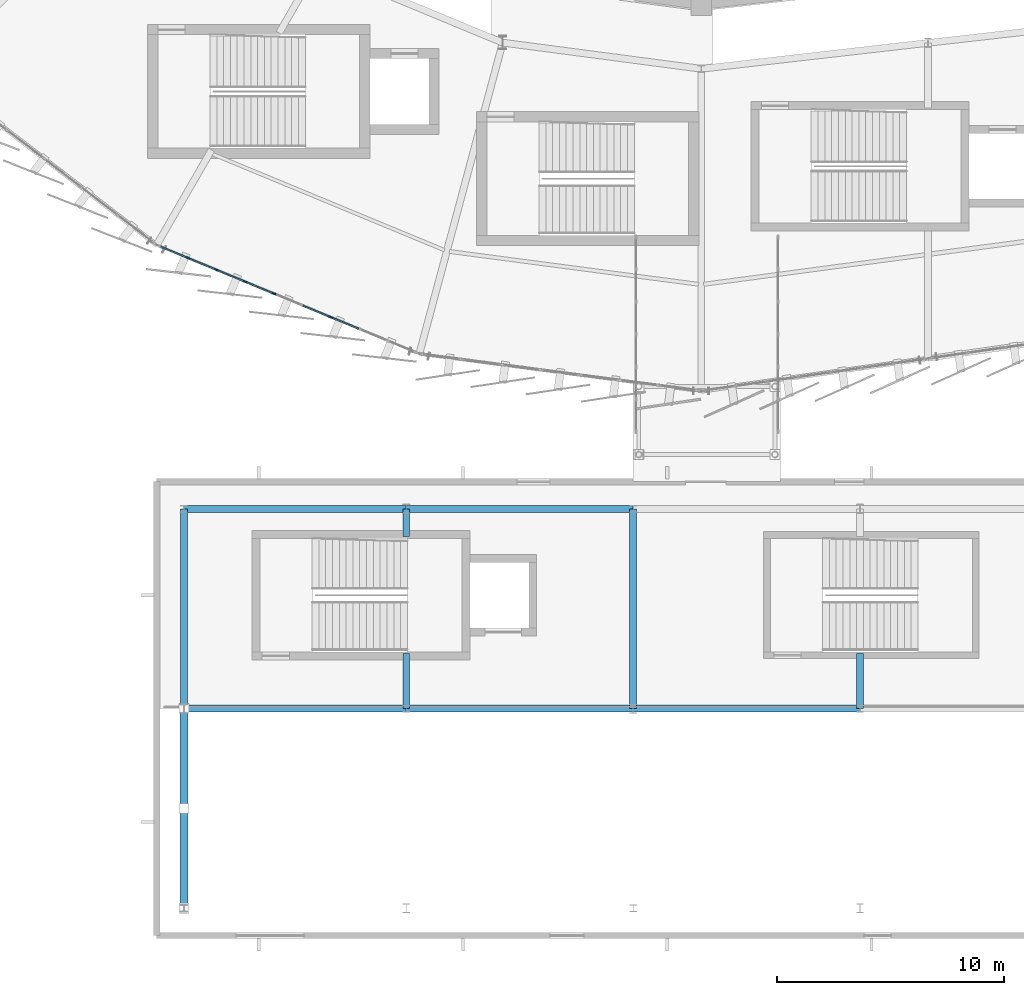
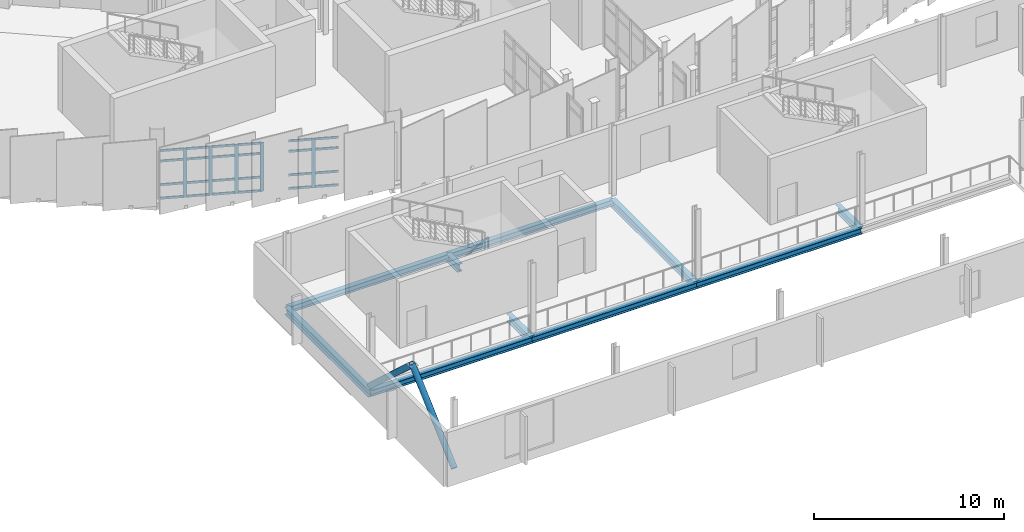
# One storey, part 32 of 134: 31 members, 10 beams, 1 element without a shape of its own.
"""IFC4 building model written with IfcOpenShell, lengths in metres."""

from ifc_helpers import new_model, si_unit, direction, frame, origin, origin_2d, place, context, subcontext, project, spatial, rectangle, hollow_circle, i_section, extrude, material, layer, layer_set, material_profile, profile_set, type_object, element, aggregate, save


model = new_model("IFC4")

# Units and contexts
model_context = context("Model", 3, precision=1e-05, world=origin(), true_north=direction((0.0, 1.0)))
body_context = subcontext(model_context, "Body", "Model", "MODEL_VIEW")
ifc_project = project(units=[si_unit("LENGTHUNIT", "METRE"), si_unit("AREAUNIT", "SQUARE_METRE"), si_unit("VOLUMEUNIT", "CUBIC_METRE"), si_unit("PLANEANGLEUNIT", "RADIAN"), si_unit("MASSUNIT", "GRAM", prefix="KILO")], contexts=[model_context])

# Site, building, storey
site_placement = place(None, origin())
site = spatial("IfcSite", under=ifc_project, at=site_placement, CompositionType="ELEMENT")
building_placement = place(site_placement, origin())
building = spatial("IfcBuilding", under=site, at=building_placement, Name="Sohan Crest Arena", CompositionType="ELEMENT")
storey_placement = place(building_placement, frame((0.0, 0.0, 4.5)))
storey = spatial("IfcBuildingStorey", under=building, at=storey_placement, Name="L01", CompositionType="ELEMENT", Elevation=4.5)

# Curtain wall, members
ifc_material_1 = material(Name="Thermally broken anodised aluminium", Category="aluminium")
ifc_layer = layer(ifc_material_1, 0.18994140625, Name="Thermally broken anodised aluminium")
ifc_layer_set = layer_set([ifc_layer], Name="Thermally broken anodised aluminium")
curtain_wall_type = type_object("IfcCurtainWallType", Name="ARC-CW05", PredefinedType="NOTDEFINED", material=ifc_layer_set)
curtain_wall_placement = place(storey_placement, origin())
curtain_wall = element("IfcCurtainWall", 1, at=curtain_wall_placement, inside=storey, type_object=curtain_wall_type, Name="Unitised curtain wall CW-028", PredefinedType="NOTDEFINED")
ifc_material_profile_1 = material_profile(ifc_material_1, rectangle(XDim=0.070068359375, YDim=0.199951171875, at=origin_2d()), Name="ALU-MULL 70x200")
ifc_profile_set_1 = profile_set([ifc_material_profile_1], Name="Thermally broken anodised aluminium")
member_type_1 = type_object("IfcMemberType", Name="ARC-CW-ML03", PredefinedType="MULLION", material=ifc_profile_set_1)
member_1_placement = place(storey_placement, frame((75.379638671875, 35.859375, 0.0), z_axis=(0.0, 0.0, 1.0), x_axis=(0.382618103525, 0.923906589897, 0.0)))
member_1 = element("IfcMember", 2, at=member_1_placement, type_object=member_type_1, Name="CW-028 mullion 2", PredefinedType="MULLION", context=body_context, shape_type="SweptSolid", body=[
    extrude(rectangle(XDim=0.070068359375, YDim=0.199951171875, at=origin_2d()), origin(), (0.0, 0.0, 1.0), 3.1201171875),
])
member_2_placement = place(storey_placement, frame((76.639404296875, 35.337646484375, 0.0), z_axis=(0.0, 0.0, 1.0), x_axis=(0.382618103525, 0.923906589897, 0.0)))
member_2 = element("IfcMember", 3, at=member_2_placement, type_object=member_type_1, Name="CW-028 mullion 3", PredefinedType="MULLION", context=body_context, shape_type="SweptSolid", body=[
    extrude(rectangle(XDim=0.070068359375, YDim=0.199951171875, at=origin_2d()), origin(), (0.0, 0.0, 1.0), 3.1201171875),
])
member_3_placement = place(storey_placement, frame((77.89892578125, 34.81591796875, 0.0), z_axis=(0.0, 0.0, 1.0), x_axis=(0.382618103525, 0.923906589897, 0.0)))
member_3 = element("IfcMember", 4, at=member_3_placement, type_object=member_type_1, Name="CW-028 mullion 4", PredefinedType="MULLION", context=body_context, shape_type="SweptSolid", body=[
    extrude(rectangle(XDim=0.070068359375, YDim=0.199951171875, at=origin_2d()), origin(), (0.0, 0.0, 1.0), 3.1201171875),
])
member_4_placement = place(storey_placement, frame((79.15869140625, 34.29443359375, 0.0), z_axis=(0.0, 0.0, 1.0), x_axis=(0.382618103525, 0.923906589897, 0.0)))
member_4 = element("IfcMember", 5, at=member_4_placement, type_object=member_type_1, Name="CW-028 mullion 5", PredefinedType="MULLION", context=body_context, shape_type="SweptSolid", body=[
    extrude(rectangle(XDim=0.070068359375, YDim=0.199951171875, at=origin_2d()), origin(), (0.0, 0.0, 1.0), 3.1201171875),
])
member_5_placement = place(storey_placement, frame((81.677978515625, 33.2509765625, 0.0), z_axis=(0.0, 0.0, 1.0), x_axis=(0.382618103525, 0.923906589897, 0.0)))
member_5 = element("IfcMember", 6, at=member_5_placement, type_object=member_type_1, Name="CW-028 mullion 7", PredefinedType="MULLION", context=body_context, shape_type="SweptSolid", body=[
    extrude(rectangle(XDim=0.070068359375, YDim=0.199951171875, at=origin_2d()), origin(), (0.0, 0.0, 1.0), 3.1201171875),
])
ifc_material_profile_2 = material_profile(ifc_material_1, rectangle(XDim=0.06494140625, YDim=0.139892578125, at=origin_2d()), Name="ALU-TRAN 65x140")
ifc_profile_set_2 = profile_set([ifc_material_profile_2], Name="Thermally broken anodised aluminium")
member_type_2 = type_object("IfcMemberType", Name="ARC-CW-TR02", PredefinedType="USERDEFINED", material=ifc_profile_set_2)
member_6_placement = place(storey_placement, frame((74.1845703125, 36.354248046875, 0.032470703125), z_axis=(0.923941190506, -0.382534542867, 0.0), x_axis=(0.382534542867, 0.923941190506, 0.0)))
member_6 = element("IfcMember", 7, at=member_6_placement, type_object=member_type_2, Name="CW-028 transom 1.1", ObjectType="TRANSOM", PredefinedType="USERDEFINED", context=body_context, shape_type="SweptSolid", body=[
    extrude(rectangle(XDim=0.06494140625, YDim=0.139892578125, at=origin_2d()), origin(), (0.0, 0.0, 1.0), 1.258544921875),
])
member_7_placement = place(storey_placement, frame((74.1845703125, 36.354248046875, 0.89990234375), z_axis=(0.923941190506, -0.382534542867, 0.0), x_axis=(0.382534542867, 0.923941190506, 0.0)))
member_7 = element("IfcMember", 8, at=member_7_placement, type_object=member_type_2, Name="CW-028 transom 1.2", ObjectType="TRANSOM", PredefinedType="USERDEFINED", context=body_context, shape_type="SweptSolid", body=[
    extrude(rectangle(XDim=0.06494140625, YDim=0.139892578125, at=origin_2d()), origin(), (0.0, 0.0, 1.0), 1.258544921875),
])
member_8_placement = place(storey_placement, frame((74.1845703125, 36.354248046875, 2.419921875), z_axis=(0.923941190506, -0.382534542867, 0.0), x_axis=(0.382534542867, 0.923941190506, 0.0)))
member_8 = element("IfcMember", 9, at=member_8_placement, type_object=member_type_2, Name="CW-028 transom 1.3", ObjectType="TRANSOM", PredefinedType="USERDEFINED", context=body_context, shape_type="SweptSolid", body=[
    extrude(rectangle(XDim=0.06494140625, YDim=0.139892578125, at=origin_2d()), origin(), (0.0, 0.0, 1.0), 1.258544921875),
])
member_9_placement = place(storey_placement, frame((74.1845703125, 36.354248046875, 3.08740234375), z_axis=(0.923941190506, -0.382534542867, 0.0), x_axis=(0.382534542867, 0.923941190506, 0.0)))
member_9 = element("IfcMember", 10, at=member_9_placement, type_object=member_type_2, Name="CW-028 transom 1.4", ObjectType="TRANSOM", PredefinedType="USERDEFINED", context=body_context, shape_type="SweptSolid", body=[
    extrude(rectangle(XDim=0.06494140625, YDim=0.139892578125, at=origin_2d()), origin(), (0.0, 0.0, 1.0), 1.258544921875),
])
member_10_placement = place(storey_placement, frame((75.412109375, 35.845947265625, 0.032470703125), z_axis=(0.923890289541, -0.382657461565, 0.0), x_axis=(0.382657461565, 0.923890289541, 0.0)))
member_10 = element("IfcMember", 11, at=member_10_placement, type_object=member_type_2, Name="CW-028 transom 2.1", ObjectType="TRANSOM", PredefinedType="USERDEFINED", context=body_context, shape_type="SweptSolid", body=[
    extrude(rectangle(XDim=0.06494140625, YDim=0.139892578125, at=origin_2d()), origin(), (0.0, 0.0, 1.0), 1.293212890625),
])
member_11_placement = place(storey_placement, frame((75.412109375, 35.845947265625, 0.89990234375), z_axis=(0.923890289541, -0.382657461565, 0.0), x_axis=(0.382657461565, 0.923890289541, 0.0)))
member_11 = element("IfcMember", 12, at=member_11_placement, type_object=member_type_2, Name="CW-028 transom 2.2", ObjectType="TRANSOM", PredefinedType="USERDEFINED", context=body_context, shape_type="SweptSolid", body=[
    extrude(rectangle(XDim=0.06494140625, YDim=0.139892578125, at=origin_2d()), origin(), (0.0, 0.0, 1.0), 1.293212890625),
])
member_12_placement = place(storey_placement, frame((75.412109375, 35.845947265625, 2.419921875), z_axis=(0.923890289541, -0.382657461565, 0.0), x_axis=(0.382657461565, 0.923890289541, 0.0)))
member_12 = element("IfcMember", 13, at=member_12_placement, type_object=member_type_2, Name="CW-028 transom 2.3", ObjectType="TRANSOM", PredefinedType="USERDEFINED", context=body_context, shape_type="SweptSolid", body=[
    extrude(rectangle(XDim=0.06494140625, YDim=0.139892578125, at=origin_2d()), origin(), (0.0, 0.0, 1.0), 1.293212890625),
])
member_13_placement = place(storey_placement, frame((75.412109375, 35.845947265625, 3.08740234375), z_axis=(0.923890289541, -0.382657461565, 0.0), x_axis=(0.382657461565, 0.923890289541, 0.0)))
member_13 = element("IfcMember", 14, at=member_13_placement, type_object=member_type_2, Name="CW-028 transom 2.4", ObjectType="TRANSOM", PredefinedType="USERDEFINED", context=body_context, shape_type="SweptSolid", body=[
    extrude(rectangle(XDim=0.06494140625, YDim=0.139892578125, at=origin_2d()), origin(), (0.0, 0.0, 1.0), 1.293212890625),
])
member_14_placement = place(storey_placement, frame((76.671630859375, 35.32421875, 0.032470703125), z_axis=(0.923917924779, -0.382590732079, 0.0), x_axis=(0.382590732079, 0.923917924779, 0.0)))
member_14 = element("IfcMember", 15, at=member_14_placement, type_object=member_type_2, Name="CW-028 transom 3.1", ObjectType="TRANSOM", PredefinedType="USERDEFINED", context=body_context, shape_type="SweptSolid", body=[
    extrude(rectangle(XDim=0.06494140625, YDim=0.139892578125, at=origin_2d()), origin(), (0.0, 0.0, 1.0), 1.29345703125),
])
member_15_placement = place(storey_placement, frame((76.671630859375, 35.32421875, 0.89990234375), z_axis=(0.923917924779, -0.382590732079, 0.0), x_axis=(0.382590732079, 0.923917924779, 0.0)))
member_15 = element("IfcMember", 16, at=member_15_placement, type_object=member_type_2, Name="CW-028 transom 3.2", ObjectType="TRANSOM", PredefinedType="USERDEFINED", context=body_context, shape_type="SweptSolid", body=[
    extrude(rectangle(XDim=0.06494140625, YDim=0.139892578125, at=origin_2d()), origin(), (0.0, 0.0, 1.0), 1.29345703125),
])
member_16_placement = place(storey_placement, frame((76.671630859375, 35.32421875, 2.419921875), z_axis=(0.923917924779, -0.382590732079, 0.0), x_axis=(0.382590732079, 0.923917924779, 0.0)))
member_16 = element("IfcMember", 17, at=member_16_placement, type_object=member_type_2, Name="CW-028 transom 3.3", ObjectType="TRANSOM", PredefinedType="USERDEFINED", context=body_context, shape_type="SweptSolid", body=[
    extrude(rectangle(XDim=0.06494140625, YDim=0.139892578125, at=origin_2d()), origin(), (0.0, 0.0, 1.0), 1.29345703125),
])
member_17_placement = place(storey_placement, frame((76.671630859375, 35.32421875, 3.08740234375), z_axis=(0.923917924779, -0.382590732079, 0.0), x_axis=(0.382590732079, 0.923917924779, 0.0)))
member_17 = element("IfcMember", 18, at=member_17_placement, type_object=member_type_2, Name="CW-028 transom 3.4", ObjectType="TRANSOM", PredefinedType="USERDEFINED", context=body_context, shape_type="SweptSolid", body=[
    extrude(rectangle(XDim=0.06494140625, YDim=0.139892578125, at=origin_2d()), origin(), (0.0, 0.0, 1.0), 1.29345703125),
])
member_18_placement = place(storey_placement, frame((77.931396484375, 34.802490234375, 0.032470703125), z_axis=(0.923890289541, -0.382657461565, 0.0), x_axis=(0.382657461565, 0.923890289541, 0.0)))
member_18 = element("IfcMember", 19, at=member_18_placement, type_object=member_type_2, Name="CW-028 transom 4.1", ObjectType="TRANSOM", PredefinedType="USERDEFINED", context=body_context, shape_type="SweptSolid", body=[
    extrude(rectangle(XDim=0.06494140625, YDim=0.139892578125, at=origin_2d()), origin(), (0.0, 0.0, 1.0), 1.293212890625),
])
member_19_placement = place(storey_placement, frame((77.931396484375, 34.802490234375, 0.89990234375), z_axis=(0.923890289541, -0.382657461565, 0.0), x_axis=(0.382657461565, 0.923890289541, 0.0)))
member_19 = element("IfcMember", 20, at=member_19_placement, type_object=member_type_2, Name="CW-028 transom 4.2", ObjectType="TRANSOM", PredefinedType="USERDEFINED", context=body_context, shape_type="SweptSolid", body=[
    extrude(rectangle(XDim=0.06494140625, YDim=0.139892578125, at=origin_2d()), origin(), (0.0, 0.0, 1.0), 1.293212890625),
])
member_20_placement = place(storey_placement, frame((77.931396484375, 34.802490234375, 2.419921875), z_axis=(0.923890289541, -0.382657461565, 0.0), x_axis=(0.382657461565, 0.923890289541, 0.0)))
member_20 = element("IfcMember", 21, at=member_20_placement, type_object=member_type_2, Name="CW-028 transom 4.3", ObjectType="TRANSOM", PredefinedType="USERDEFINED", context=body_context, shape_type="SweptSolid", body=[
    extrude(rectangle(XDim=0.06494140625, YDim=0.139892578125, at=origin_2d()), origin(), (0.0, 0.0, 1.0), 1.293212890625),
])
member_21_placement = place(storey_placement, frame((77.931396484375, 34.802490234375, 3.08740234375), z_axis=(0.923890289541, -0.382657461565, 0.0), x_axis=(0.382657461565, 0.923890289541, 0.0)))
member_21 = element("IfcMember", 22, at=member_21_placement, type_object=member_type_2, Name="CW-028 transom 4.4", ObjectType="TRANSOM", PredefinedType="USERDEFINED", context=body_context, shape_type="SweptSolid", body=[
    extrude(rectangle(XDim=0.06494140625, YDim=0.139892578125, at=origin_2d()), origin(), (0.0, 0.0, 1.0), 1.293212890625),
])
member_22_placement = place(storey_placement, frame((80.45068359375, 33.75927734375, 0.032470703125), z_axis=(0.923917924779, -0.382590732079, 0.0), x_axis=(0.382590732079, 0.923917924779, 0.0)))
member_22 = element("IfcMember", 23, at=member_22_placement, type_object=member_type_2, Name="CW-028 transom 6.1", ObjectType="TRANSOM", PredefinedType="USERDEFINED", context=body_context, shape_type="SweptSolid", body=[
    extrude(rectangle(XDim=0.06494140625, YDim=0.139892578125, at=origin_2d()), origin(), (0.0, 0.0, 1.0), 1.29345703125),
])
member_23_placement = place(storey_placement, frame((80.45068359375, 33.75927734375, 0.89990234375), z_axis=(0.923917924779, -0.382590732079, 0.0), x_axis=(0.382590732079, 0.923917924779, 0.0)))
member_23 = element("IfcMember", 24, at=member_23_placement, type_object=member_type_2, Name="CW-028 transom 6.2", ObjectType="TRANSOM", PredefinedType="USERDEFINED", context=body_context, shape_type="SweptSolid", body=[
    extrude(rectangle(XDim=0.06494140625, YDim=0.139892578125, at=origin_2d()), origin(), (0.0, 0.0, 1.0), 1.29345703125),
])
member_24_placement = place(storey_placement, frame((80.45068359375, 33.75927734375, 2.419921875), z_axis=(0.923917924779, -0.382590732079, 0.0), x_axis=(0.382590732079, 0.923917924779, 0.0)))
member_24 = element("IfcMember", 25, at=member_24_placement, type_object=member_type_2, Name="CW-028 transom 6.3", ObjectType="TRANSOM", PredefinedType="USERDEFINED", context=body_context, shape_type="SweptSolid", body=[
    extrude(rectangle(XDim=0.06494140625, YDim=0.139892578125, at=origin_2d()), origin(), (0.0, 0.0, 1.0), 1.29345703125),
])
member_25_placement = place(storey_placement, frame((80.45068359375, 33.75927734375, 3.08740234375), z_axis=(0.923917924779, -0.382590732079, 0.0), x_axis=(0.382590732079, 0.923917924779, 0.0)))
member_25 = element("IfcMember", 26, at=member_25_placement, type_object=member_type_2, Name="CW-028 transom 6.4", ObjectType="TRANSOM", PredefinedType="USERDEFINED", context=body_context, shape_type="SweptSolid", body=[
    extrude(rectangle(XDim=0.06494140625, YDim=0.139892578125, at=origin_2d()), origin(), (0.0, 0.0, 1.0), 1.29345703125),
])
member_26_placement = place(storey_placement, frame((81.71044921875, 33.237548828125, 0.032470703125), z_axis=(0.923890289541, -0.382657461565, 0.0), x_axis=(0.382657461565, 0.923890289541, 0.0)))
member_26 = element("IfcMember", 27, at=member_26_placement, type_object=member_type_2, Name="CW-028 transom 7.1", ObjectType="TRANSOM", PredefinedType="USERDEFINED", context=body_context, shape_type="SweptSolid", body=[
    extrude(rectangle(XDim=0.06494140625, YDim=0.139892578125, at=origin_2d()), origin(), (0.0, 0.0, 1.0), 1.293212890625),
])
member_27_placement = place(storey_placement, frame((81.71044921875, 33.237548828125, 0.89990234375), z_axis=(0.923890289541, -0.382657461565, 0.0), x_axis=(0.382657461565, 0.923890289541, 0.0)))
member_27 = element("IfcMember", 28, at=member_27_placement, type_object=member_type_2, Name="CW-028 transom 7.2", ObjectType="TRANSOM", PredefinedType="USERDEFINED", context=body_context, shape_type="SweptSolid", body=[
    extrude(rectangle(XDim=0.06494140625, YDim=0.139892578125, at=origin_2d()), origin(), (0.0, 0.0, 1.0), 1.293212890625),
])
member_28_placement = place(storey_placement, frame((81.71044921875, 33.237548828125, 2.419921875), z_axis=(0.923890289541, -0.382657461565, 0.0), x_axis=(0.382657461565, 0.923890289541, 0.0)))
member_28 = element("IfcMember", 29, at=member_28_placement, type_object=member_type_2, Name="CW-028 transom 7.3", ObjectType="TRANSOM", PredefinedType="USERDEFINED", context=body_context, shape_type="SweptSolid", body=[
    extrude(rectangle(XDim=0.06494140625, YDim=0.139892578125, at=origin_2d()), origin(), (0.0, 0.0, 1.0), 1.293212890625),
])
member_29_placement = place(storey_placement, frame((81.71044921875, 33.237548828125, 3.08740234375), z_axis=(0.923890289541, -0.382657461565, 0.0), x_axis=(0.382657461565, 0.923890289541, 0.0)))
member_29 = element("IfcMember", 30, at=member_29_placement, type_object=member_type_2, Name="CW-028 transom 7.4", ObjectType="TRANSOM", PredefinedType="USERDEFINED", context=body_context, shape_type="SweptSolid", body=[
    extrude(rectangle(XDim=0.06494140625, YDim=0.139892578125, at=origin_2d()), origin(), (0.0, 0.0, 1.0), 1.293212890625),
])
aggregate(curtain_wall, [member_1, member_2, member_3, member_4, member_5, member_6, member_7, member_8, member_9, member_10, member_11, member_12, member_13, member_14, member_15, member_16, member_17, member_18, member_19, member_20, member_21, member_22, member_23, member_24, member_25, member_26, member_27, member_28, member_29])

# Beams
ifc_material_2 = material(Name="Steel S355", Category="steel")
ifc_material_profile_3 = material_profile(ifc_material_2, i_section(OverallWidth=0.300048828125, OverallDepth=0.389892578125, WebThickness=0.010986328125, FlangeThickness=0.01904296875, at=origin_2d()), Name="HEA 400")
ifc_profile_set_3 = profile_set([ifc_material_profile_3], Name="Steel S355")
beam_type_1 = type_object("IfcBeamType", Name="STR-BM-B09", PredefinedType="BEAM", material=ifc_profile_set_3)
beam_1_placement = place(storey_placement, frame((75.199951171875, 16.0, -0.445068359375), z_axis=(1.0, 0.0, 0.0), x_axis=(0.0, 1.0, 0.0)))
element("IfcBeam", 31, at=beam_1_placement, inside=storey, type_object=beam_type_1, Name="Structural beam G-L01-2608", PredefinedType="BEAM", context=body_context, shape_type="SweptSolid", body=[
    extrude(i_section(OverallWidth=0.300048828125, OverallDepth=0.389892578125, WebThickness=0.010986328125, FlangeThickness=0.01904296875, at=origin_2d()), origin(), (0.0, 0.0, 1.0), 9.800048828125),
])
for number, where, z_axis, x_axis, name in (
    (32, (85.0, 16.0, -0.445068359375), (1.0, 0.0, 0.0), (0.0, 1.0, 0.0), "Structural beam G-L01-2609"),
    (33, (95.0, 16.0, -0.445068359375), (1.0, 0.0, 0.0), (0.0, 1.0, 0.0), "Structural beam G-L01-2610"),
):
    element("IfcBeam", number, at=place(storey_placement, frame(where, z_axis=z_axis, x_axis=x_axis)), inside=storey, type_object=beam_type_1, Name=name, PredefinedType="BEAM", context=body_context, shape_type="SweptSolid", body=[
        extrude(i_section(OverallWidth=0.300048828125, OverallDepth=0.389892578125, WebThickness=0.010986328125, FlangeThickness=0.01904296875, at=origin_2d()), origin(), (0.0, 0.0, 1.0), 10.0),
    ])
beam_2_placement = place(storey_placement, frame((75.199951171875, 24.800048828125, -0.445068359375), z_axis=(1.0, 0.0, 0.0), x_axis=(0.0, 1.0, 0.0)))
element("IfcBeam", 34, at=beam_2_placement, inside=storey, type_object=beam_type_1, Name="Structural beam G-L01-2619", PredefinedType="BEAM", context=body_context, shape_type="SweptSolid", body=[
    extrude(i_section(OverallWidth=0.300048828125, OverallDepth=0.389892578125, WebThickness=0.010986328125, FlangeThickness=0.01904296875, at=origin_2d()), origin(), (0.0, 0.0, 1.0), 9.800048828125),
])
beam_3_placement = place(storey_placement, frame((85.0, 24.800048828125, -0.445068359375), z_axis=(1.0, 0.0, 0.0), x_axis=(0.0, 1.0, 0.0)))
element("IfcBeam", 35, at=beam_3_placement, inside=storey, type_object=beam_type_1, Name="Structural beam G-L01-2620", PredefinedType="BEAM", context=body_context, shape_type="SweptSolid", body=[
    extrude(i_section(OverallWidth=0.300048828125, OverallDepth=0.389892578125, WebThickness=0.010986328125, FlangeThickness=0.01904296875, at=origin_2d()), origin(), (0.0, 0.0, 1.0), 10.0),
])
ifc_material_profile_4 = material_profile(ifc_material_2, i_section(OverallWidth=0.300048828125, OverallDepth=0.489990234375, WebThickness=0.011962890625, FlangeThickness=0.02294921875, at=origin_2d()), Name="HEA 500")
ifc_profile_set_4 = profile_set([ifc_material_profile_4], Name="Steel S355")
beam_type_2 = type_object("IfcBeamType", Name="STR-BM-B10", PredefinedType="BEAM", material=ifc_profile_set_4)
beam_4_placement = place(storey_placement, frame((75.199951171875, 16.0, -0.4951171875), z_axis=(0.0, 1.0, 0.0), x_axis=(-1.0, 0.0, 0.0)))
element("IfcBeam", 36, at=beam_4_placement, inside=storey, type_object=beam_type_2, Name="Structural beam G-L01-2573", PredefinedType="BEAM", context=body_context, shape_type="SweptSolid", body=[
    extrude(i_section(OverallWidth=0.300048828125, OverallDepth=0.489990234375, WebThickness=0.011962890625, FlangeThickness=0.02294921875, at=origin_2d()), origin(), (0.0, 0.0, 1.0), 8.800048828125),
])
beam_5_placement = place(storey_placement, frame((85.0, 16.0, -0.4951171875), z_axis=(0.0, 1.0, 0.0), x_axis=(-1.0, 0.0, 0.0)))
element("IfcBeam", 37, at=beam_5_placement, inside=storey, type_object=beam_type_2, Name="Structural beam G-L01-2574", PredefinedType="BEAM", context=body_context, shape_type="SweptSolid", body=[
    extrude(i_section(OverallWidth=0.300048828125, OverallDepth=0.489990234375, WebThickness=0.011962890625, FlangeThickness=0.02294921875, at=origin_2d()), origin(), (0.0, 0.0, 1.0), 2.419921875),
])
beam_6_placement = place(storey_placement, frame((85.0, 23.580078125, -0.4951171875), z_axis=(0.0, 1.0, 0.0), x_axis=(-1.0, 0.0, 0.0)))
element("IfcBeam", 38, at=beam_6_placement, inside=storey, type_object=beam_type_2, Name="Structural beam G-L01-2575", PredefinedType="BEAM", context=body_context, shape_type="SweptSolid", body=[
    extrude(i_section(OverallWidth=0.300048828125, OverallDepth=0.489990234375, WebThickness=0.011962890625, FlangeThickness=0.02294921875, at=origin_2d()), origin(), (0.0, 0.0, 1.0), 1.219970703125),
])
beam_7_placement = place(storey_placement, frame((95.0, 16.0, -0.4951171875), z_axis=(0.0, 1.0, 0.0), x_axis=(-1.0, 0.0, 0.0)))
element("IfcBeam", 39, at=beam_7_placement, inside=storey, type_object=beam_type_2, Name="Structural beam G-L01-2576", PredefinedType="BEAM", context=body_context, shape_type="SweptSolid", body=[
    extrude(i_section(OverallWidth=0.300048828125, OverallDepth=0.489990234375, WebThickness=0.011962890625, FlangeThickness=0.02294921875, at=origin_2d()), origin(), (0.0, 0.0, 1.0), 8.800048828125),
])
beam_8_placement = place(storey_placement, frame((105.0, 16.0, -0.4951171875), z_axis=(0.0, 1.0, 0.0), x_axis=(-1.0, 0.0, 0.0)))
element("IfcBeam", 40, at=beam_8_placement, inside=storey, type_object=beam_type_2, Name="Structural beam G-L01-2577", PredefinedType="BEAM", context=body_context, shape_type="SweptSolid", body=[
    extrude(i_section(OverallWidth=0.300048828125, OverallDepth=0.489990234375, WebThickness=0.011962890625, FlangeThickness=0.02294921875, at=origin_2d()), origin(), (0.0, 0.0, 1.0), 2.419921875),
])

# Members
ifc_material_profile_5 = material_profile(ifc_material_2, hollow_circle(Radius=0.177734375, WallThickness=0.01611328125, at=origin_2d()), Name="CHS 355.6x16")
ifc_profile_set_5 = profile_set([ifc_material_profile_5], Name="Steel S355")
member_type_3 = type_object("IfcMemberType", Name="STR-MEM-BR04", PredefinedType="BRACE", material=ifc_profile_set_5)
member_30_placement = place(storey_placement, frame((75.199951171875, 7.199951171875, 0.0), z_axis=(0.0, 0.739951219704, 0.672660532854), x_axis=(-1.0, 0.0, 0.0)))
element("IfcMember", 41, at=member_30_placement, inside=storey, type_object=member_type_3, Name="BOH wing chevron brace BR-039", PredefinedType="BRACE", context=body_context, shape_type="SweptSolid", body=[
    extrude(hollow_circle(Radius=0.177734375, WallThickness=0.01611328125, at=origin_2d()), origin(), (0.0, 0.0, 1.0), 5.946533203125),
])
member_31_placement = place(storey_placement, frame((75.199951171875, 16.0, 0.0), z_axis=(0.0, -0.739932642186, 0.672680968237), x_axis=(1.0, 0.0, 0.0)))
element("IfcMember", 42, at=member_31_placement, inside=storey, type_object=member_type_3, Name="BOH wing chevron brace BR-040", PredefinedType="BRACE", context=body_context, shape_type="SweptSolid", body=[
    extrude(hollow_circle(Radius=0.177734375, WallThickness=0.01611328125, at=origin_2d()), origin(), (0.0, 0.0, 1.0), 5.9462890625),
])

save(model, "model.ifc")
